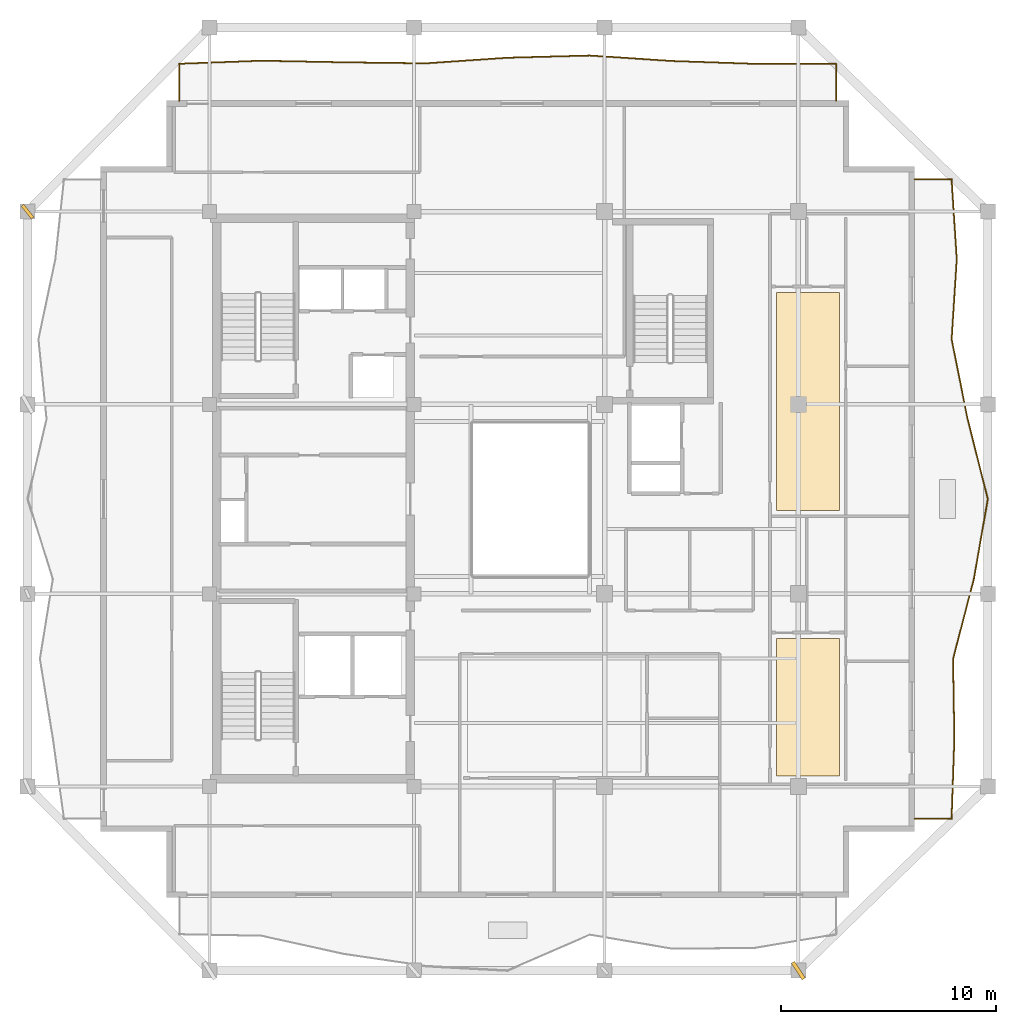
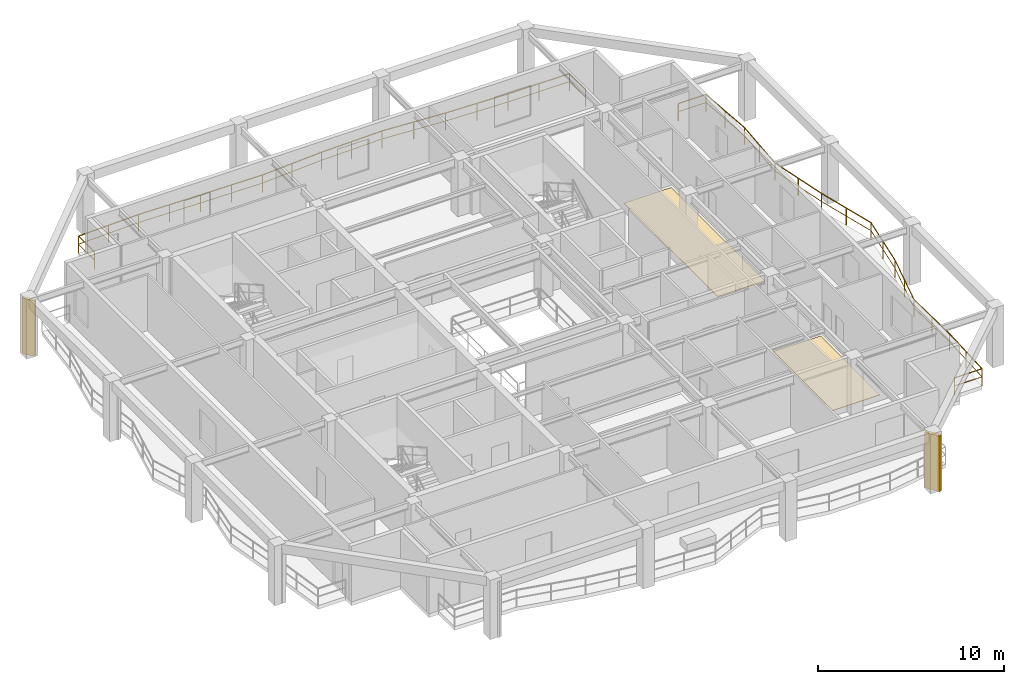
# One storey, part 9 of 10: 2 coverings, 2 railings, 2 shading devices.
"""IFC4 building model written with IfcOpenShell, lengths in metres."""

from ifc_helpers import new_model, si_unit, direction, frame, origin, origin_2d, place, context, subcontext, project, spatial, polyline, rectangle, outline, extrude, material, layer, layer_set, type_object, element, save


model = new_model("IFC4")

# Units and contexts
model_context = context("Model", 3, precision=1e-05, world=origin(), true_north=direction((0.0, 1.0)))
body_context = subcontext(model_context, "Body", "Model", "MODEL_VIEW")
ifc_project = project(units=[si_unit("LENGTHUNIT", "METRE"), si_unit("AREAUNIT", "SQUARE_METRE"), si_unit("VOLUMEUNIT", "CUBIC_METRE"), si_unit("PLANEANGLEUNIT", "RADIAN"), si_unit("MASSUNIT", "GRAM", prefix="KILO")], contexts=[model_context])

# Site, building, storey
site_placement = place(None, origin())
site = spatial("IfcSite", under=ifc_project, at=site_placement, CompositionType="ELEMENT")
building_placement = place(site_placement, origin())
building = spatial("IfcBuilding", under=site, at=building_placement, Name="Kundavana Baori Tower", CompositionType="ELEMENT")
storey_placement = place(building_placement, frame((0.0, 0.0, 280.39990234375)))
storey = spatial("IfcBuildingStorey", under=building, at=storey_placement, Name="L69", CompositionType="ELEMENT", Elevation=280.39990234375)

# Coverings
ifc_material_1 = material(Name="Honed Kota Stone and Terrazzo Flooring", Category="masonry")
ifc_layer = layer(ifc_material_1, 0.030029296875, Name="COV-INT-FLR")
ifc_layer_set = layer_set([ifc_layer], Name="Honed Kota Stone and Terrazzo Flooring")
covering_type = type_object("IfcCoveringType", Name="COV-INT-FLR", PredefinedType="FLOORING", material=ifc_layer_set)
covering_1_placement = place(storey_placement, origin())
element("IfcCovering", 1, at=covering_1_placement, inside=storey, type_object=covering_type, Name="L69 Room Finished Stone Flooring 2", PredefinedType="FLOORING", context=body_context, shape_type="SweptSolid", body=[
    extrude(outline(polyline([(41.780029296875, 15.72998046875), (44.719970703125, 15.72998046875), (44.719970703125, 22.1201171875), (41.780029296875, 22.1201171875), (41.780029296875, 15.72998046875)])), origin(), (0.0, 0.0, 1.0), 0.030029296875),
])
covering_2_placement = place(storey_placement, origin())
element("IfcCovering", 2, at=covering_2_placement, inside=storey, type_object=covering_type, Name="L69 Room Finished Stone Flooring 3", PredefinedType="FLOORING", context=body_context, shape_type="SweptSolid", body=[
    extrude(outline(polyline([(41.780029296875, 28.080078125), (44.719970703125, 28.080078125), (44.719970703125, 38.18994140625), (41.780029296875, 38.18994140625), (41.780029296875, 28.080078125)])), origin(), (0.0, 0.0, 1.0), 0.030029296875),
])

# Railings
ifc_material_2 = material(Name="Architectural Patinated Bronze Metalwork")
railing_type = type_object("IfcRailingType", Name="RL-BAL-1150", PredefinedType="BALUSTRADE", material=ifc_material_2)
railing_1_placement = place(storey_placement, frame((48.199951171875, 43.449951171875, 0.0)))
element("IfcRailing", 3, at=railing_1_placement, inside=storey, type_object=railing_type, Name="L69 Loggia Balcony Balustrade E", PredefinedType="BALUSTRADE", context=body_context, shape_type="SweptSolid", body=[
    extrude(rectangle(XDim=0.048095703125, YDim=0.048095703125, at=origin_2d()), frame((0.0, 0.0, 1.1259765625), z_axis=(1.0, 0.0, 0.0), x_axis=(0.0, 1.0, 0.0)), (0.0, 0.0, 1.0), 1.719970703125),
    extrude(rectangle(XDim=0.03125, YDim=0.03125, at=origin_2d()), frame((0.0, 0.0, 0.597900390625), z_axis=(1.0, 0.0, 0.0), x_axis=(0.0, 1.0, 0.0)), (0.0, 0.0, 1.0), 1.719970703125),
    extrude(rectangle(XDim=0.048095703125, YDim=0.048095703125, at=origin_2d()), frame((1.719970703125, 0.0, 1.1259765625), z_axis=(0.064780769939, -0.997899519915, 0.0), x_axis=(0.997899519915, 0.064780769939, 0.0)), (0.0, 0.0, 1.0), 3.7197265625),
    extrude(rectangle(XDim=0.03125, YDim=0.03125, at=origin_2d()), frame((1.719970703125, 0.0, 0.597900390625), z_axis=(0.064780769939, -0.997899519915, 0.0), x_axis=(0.997899519915, 0.064780769939, 0.0)), (0.0, 0.0, 1.0), 3.7197265625),
    extrude(rectangle(XDim=0.048095703125, YDim=0.048095703125, at=origin_2d()), frame((1.9609375, -3.7119140625, 1.1259765625), z_axis=(-0.063910106669, -0.997955659469, 0.0), x_axis=(0.997955659469, -0.063910106669, 0.0)), (0.0, 0.0, 1.0), 3.720703125),
    extrude(rectangle(XDim=0.03125, YDim=0.03125, at=origin_2d()), frame((1.9609375, -3.7119140625, 0.597900390625), z_axis=(-0.063910106669, -0.997955659469, 0.0), x_axis=(0.997955659469, -0.063910106669, 0.0)), (0.0, 0.0, 1.0), 3.720703125),
    extrude(rectangle(XDim=0.048095703125, YDim=0.048095703125, at=origin_2d()), frame((1.72314453125, -7.425048828125, 1.1259765625), z_axis=(0.195458824017, -0.980711908826, 0.0), x_axis=(0.980711908826, 0.195458824017, 0.0)), (0.0, 0.0, 1.0), 3.785888671875),
    extrude(rectangle(XDim=0.03125, YDim=0.03125, at=origin_2d()), frame((1.72314453125, -7.425048828125, 0.597900390625), z_axis=(0.195458824017, -0.980711908826, 0.0), x_axis=(0.980711908826, 0.195458824017, 0.0)), (0.0, 0.0, 1.0), 3.785888671875),
    extrude(rectangle(XDim=0.048095703125, YDim=0.048095703125, at=origin_2d()), frame((2.463134765625, -11.137939453125, 1.1259765625), z_axis=(0.244755744904, -0.969584769546, 0.0), x_axis=(0.969584769546, 0.244755744904, 0.0)), (0.0, 0.0, 1.0), 3.828369140625),
    extrude(rectangle(XDim=0.03125, YDim=0.03125, at=origin_2d()), frame((2.463134765625, -11.137939453125, 0.597900390625), z_axis=(0.244755744904, -0.969584769546, 0.0), x_axis=(0.969584769546, 0.244755744904, 0.0)), (0.0, 0.0, 1.0), 3.828369140625),
    extrude(rectangle(XDim=0.048095703125, YDim=0.048095703125, at=origin_2d()), frame((3.400146484375, -14.849853515625, 1.1259765625), z_axis=(-0.171193507147, -0.985237424741, 0.0), x_axis=(0.985237424741, -0.171193507147, 0.0)), (0.0, 0.0, 1.0), 3.767822265625),
    extrude(rectangle(XDim=0.03125, YDim=0.03125, at=origin_2d()), frame((3.400146484375, -14.849853515625, 0.597900390625), z_axis=(-0.171193507147, -0.985237424741, 0.0), x_axis=(0.985237424741, -0.171193507147, 0.0)), (0.0, 0.0, 1.0), 3.767822265625),
    extrude(rectangle(XDim=0.048095703125, YDim=0.048095703125, at=origin_2d()), frame((2.755126953125, -18.56201171875, 1.1259765625), z_axis=(-0.251807899122, -0.967777237767, 0.0), x_axis=(0.967777237767, -0.251807899122, 0.0)), (0.0, 0.0, 1.0), 3.83642578125),
    extrude(rectangle(XDim=0.03125, YDim=0.03125, at=origin_2d()), frame((2.755126953125, -18.56201171875, 0.597900390625), z_axis=(-0.251807899122, -0.967777237767, 0.0), x_axis=(0.967777237767, -0.251807899122, 0.0)), (0.0, 0.0, 1.0), 3.83642578125),
    extrude(rectangle(XDim=0.048095703125, YDim=0.048095703125, at=origin_2d()), frame((1.7890625, -22.27490234375, 1.1259765625), z_axis=(0.01643541537, -0.999864929439, 0.0), x_axis=(0.999864929439, 0.01643541537, 0.0)), (0.0, 0.0, 1.0), 3.713623046875),
    extrude(rectangle(XDim=0.03125, YDim=0.03125, at=origin_2d()), frame((1.7890625, -22.27490234375, 0.597900390625), z_axis=(0.01643541537, -0.999864929439, 0.0), x_axis=(0.999864929439, 0.01643541537, 0.0)), (0.0, 0.0, 1.0), 3.713623046875),
    extrude(rectangle(XDim=0.048095703125, YDim=0.048095703125, at=origin_2d()), frame((1.85009765625, -25.988037109375, 1.1259765625), z_axis=(-0.035035042293, -0.99938608446, 0.0), x_axis=(0.99938608446, -0.035035042293, 0.0)), (0.0, 0.0, 1.0), 3.714111328125),
    extrude(rectangle(XDim=0.03125, YDim=0.03125, at=origin_2d()), frame((1.85009765625, -25.988037109375, 0.597900390625), z_axis=(-0.035035042293, -0.99938608446, 0.0), x_axis=(0.99938608446, -0.035035042293, 0.0)), (0.0, 0.0, 1.0), 3.714111328125),
    extrude(rectangle(XDim=0.048095703125, YDim=0.048095703125, at=origin_2d()), frame((1.719970703125, -29.699951171875, 1.1259765625), z_axis=(-1.0, 0.0, 0.0), x_axis=(0.0, -1.0, 0.0)), (0.0, 0.0, 1.0), 1.719970703125),
    extrude(rectangle(XDim=0.03125, YDim=0.03125, at=origin_2d()), frame((1.719970703125, -29.699951171875, 0.597900390625), z_axis=(-1.0, 0.0, 0.0), x_axis=(0.0, -1.0, 0.0)), (0.0, 0.0, 1.0), 1.719970703125),
    extrude(rectangle(XDim=0.0419921875, YDim=0.0419921875, at=origin_2d()), origin(), (0.0, 0.0, 1.0), 1.101806640625),
    extrude(rectangle(XDim=0.0419921875, YDim=0.0419921875, at=origin_2d()), frame((1.719970703125, 0.0, 0.0)), (0.0, 0.0, 1.0), 1.101806640625),
    extrude(rectangle(XDim=0.0419921875, YDim=0.0419921875, at=origin_2d()), frame((1.84033203125, -1.85595703125, 0.0)), (0.0, 0.0, 1.0), 1.101806640625),
    extrude(rectangle(XDim=0.0419921875, YDim=0.0419921875, at=origin_2d()), frame((1.9609375, -3.7119140625, 0.0)), (0.0, 0.0, 1.0), 1.101806640625),
    extrude(rectangle(XDim=0.0419921875, YDim=0.0419921875, at=origin_2d()), frame((1.842041015625, -5.568359375, 0.0)), (0.0, 0.0, 1.0), 1.101806640625),
    extrude(rectangle(XDim=0.0419921875, YDim=0.0419921875, at=origin_2d()), frame((1.72314453125, -7.425048828125, 0.0)), (0.0, 0.0, 1.0), 1.101806640625),
    extrude(rectangle(XDim=0.0419921875, YDim=0.0419921875, at=origin_2d()), frame((2.09326171875, -9.281494140625, 0.0)), (0.0, 0.0, 1.0), 1.101806640625),
    extrude(rectangle(XDim=0.0419921875, YDim=0.0419921875, at=origin_2d()), frame((2.463134765625, -11.137939453125, 0.0)), (0.0, 0.0, 1.0), 1.101806640625),
    extrude(rectangle(XDim=0.0419921875, YDim=0.0419921875, at=origin_2d()), frame((2.931640625, -12.993896484375, 0.0)), (0.0, 0.0, 1.0), 1.101806640625),
    extrude(rectangle(XDim=0.0419921875, YDim=0.0419921875, at=origin_2d()), frame((3.400146484375, -14.849853515625, 0.0)), (0.0, 0.0, 1.0), 1.101806640625),
    extrude(rectangle(XDim=0.0419921875, YDim=0.0419921875, at=origin_2d()), frame((3.07763671875, -16.7060546875, 0.0)), (0.0, 0.0, 1.0), 1.101806640625),
    extrude(rectangle(XDim=0.0419921875, YDim=0.0419921875, at=origin_2d()), frame((2.755126953125, -18.56201171875, 0.0)), (0.0, 0.0, 1.0), 1.101806640625),
    extrude(rectangle(XDim=0.0419921875, YDim=0.0419921875, at=origin_2d()), frame((2.27197265625, -20.41845703125, 0.0)), (0.0, 0.0, 1.0), 1.101806640625),
    extrude(rectangle(XDim=0.0419921875, YDim=0.0419921875, at=origin_2d()), frame((1.7890625, -22.27490234375, 0.0)), (0.0, 0.0, 1.0), 1.101806640625),
    extrude(rectangle(XDim=0.0419921875, YDim=0.0419921875, at=origin_2d()), frame((1.819580078125, -24.13134765625, 0.0)), (0.0, 0.0, 1.0), 1.101806640625),
    extrude(rectangle(XDim=0.0419921875, YDim=0.0419921875, at=origin_2d()), frame((1.85009765625, -25.988037109375, 0.0)), (0.0, 0.0, 1.0), 1.101806640625),
    extrude(rectangle(XDim=0.0419921875, YDim=0.0419921875, at=origin_2d()), frame((1.78515625, -27.843994140625, 0.0)), (0.0, 0.0, 1.0), 1.101806640625),
    extrude(rectangle(XDim=0.0419921875, YDim=0.0419921875, at=origin_2d()), frame((1.719970703125, -29.699951171875, 0.0)), (0.0, 0.0, 1.0), 1.101806640625),
    extrude(rectangle(XDim=0.0419921875, YDim=0.0419921875, at=origin_2d()), frame((0.0, -29.699951171875, 0.0)), (0.0, 0.0, 1.0), 1.101806640625),
])
railing_2_placement = place(storey_placement, frame((14.050048828125, 47.10009765625, 0.0)))
element("IfcRailing", 4, at=railing_2_placement, inside=storey, type_object=railing_type, Name="L69 Loggia Balcony Balustrade N", PredefinedType="BALUSTRADE", context=body_context, shape_type="SweptSolid", body=[
    extrude(rectangle(XDim=0.048095703125, YDim=0.048095703125, at=origin_2d()), frame((0.0, 0.0, 1.1259765625), z_axis=(0.0, 1.0, 0.0), x_axis=(-1.0, 0.0, 0.0)), (0.0, 0.0, 1.0), 1.719970703125),
    extrude(rectangle(XDim=0.03125, YDim=0.03125, at=origin_2d()), frame((0.0, 0.0, 0.597900390625), z_axis=(0.0, 1.0, 0.0), x_axis=(-1.0, 0.0, 0.0)), (0.0, 0.0, 1.0), 1.719970703125),
    extrude(rectangle(XDim=0.048095703125, YDim=0.048095703125, at=origin_2d()), frame((0.0, 1.719970703125, 1.1259765625), z_axis=(0.999299232094, 0.037430532128, 0.0), x_axis=(-0.037430532128, 0.999299232094, 0.0)), (0.0, 0.0, 1.0), 3.815673828125),
    extrude(rectangle(XDim=0.03125, YDim=0.03125, at=origin_2d()), frame((0.0, 1.719970703125, 0.597900390625), z_axis=(0.999299232094, 0.037430532128, 0.0), x_axis=(-0.037430532128, 0.999299232094, 0.0)), (0.0, 0.0, 1.0), 3.815673828125),
    extrude(rectangle(XDim=0.048095703125, YDim=0.048095703125, at=origin_2d()), frame((3.81298828125, 1.86279296875, 1.1259765625), z_axis=(0.999811763312, -0.019402008728, 0.0), x_axis=(0.019402008728, 0.999811763312, 0.0)), (0.0, 0.0, 1.0), 3.812744140625),
    extrude(rectangle(XDim=0.03125, YDim=0.03125, at=origin_2d()), frame((3.81298828125, 1.86279296875, 0.597900390625), z_axis=(0.999811763312, -0.019402008728, 0.0), x_axis=(0.019402008728, 0.999811763312, 0.0)), (0.0, 0.0, 1.0), 3.812744140625),
    extrude(rectangle(XDim=0.048095703125, YDim=0.048095703125, at=origin_2d()), frame((7.625, 1.788818359375, 1.1259765625), z_axis=(0.999917974628, -0.012807966884, 0.0), x_axis=(0.012807966884, 0.999917974628, 0.0)), (0.0, 0.0, 1.0), 3.812255859375),
    extrude(rectangle(XDim=0.03125, YDim=0.03125, at=origin_2d()), frame((7.625, 1.788818359375, 0.597900390625), z_axis=(0.999917974628, -0.012807966884, 0.0), x_axis=(0.012807966884, 0.999917974628, 0.0)), (0.0, 0.0, 1.0), 3.812255859375),
    extrude(rectangle(XDim=0.048095703125, YDim=0.048095703125, at=origin_2d()), frame((11.43701171875, 1.739990234375, 1.1259765625), z_axis=(0.997665725853, 0.068286890827, 0.0), x_axis=(-0.068286890827, 0.997665725853, 0.0)), (0.0, 0.0, 1.0), 3.822021484375),
    extrude(rectangle(XDim=0.03125, YDim=0.03125, at=origin_2d()), frame((11.43701171875, 1.739990234375, 0.597900390625), z_axis=(0.997665725853, 0.068286890827, 0.0), x_axis=(-0.068286890827, 0.997665725853, 0.0)), (0.0, 0.0, 1.0), 3.822021484375),
    extrude(rectangle(XDim=0.048095703125, YDim=0.048095703125, at=origin_2d()), frame((15.25, 2.0009765625, 1.1259765625), z_axis=(0.999643564035, 0.026697282324, 0.0), x_axis=(-0.026697282324, 0.999643564035, 0.0)), (0.0, 0.0, 1.0), 3.8134765625),
    extrude(rectangle(XDim=0.03125, YDim=0.03125, at=origin_2d()), frame((15.25, 2.0009765625, 0.597900390625), z_axis=(0.999643564035, 0.026697282324, 0.0), x_axis=(-0.026697282324, 0.999643564035, 0.0)), (0.0, 0.0, 1.0), 3.8134765625),
    extrude(rectangle(XDim=0.048095703125, YDim=0.048095703125, at=origin_2d()), frame((19.06201171875, 2.102783203125, 1.1259765625), z_axis=(0.997807152975, -0.06618825781, 0.0), x_axis=(0.06618825781, 0.997807152975, 0.0)), (0.0, 0.0, 1.0), 3.8212890625),
    extrude(rectangle(XDim=0.03125, YDim=0.03125, at=origin_2d()), frame((19.06201171875, 2.102783203125, 0.597900390625), z_axis=(0.997807152975, -0.06618825781, 0.0), x_axis=(0.06618825781, 0.997807152975, 0.0)), (0.0, 0.0, 1.0), 3.8212890625),
    extrude(rectangle(XDim=0.048095703125, YDim=0.048095703125, at=origin_2d()), frame((22.875, 1.849853515625, 1.1259765625), z_axis=(0.999420054757, -0.034052226792, 0.0), x_axis=(0.034052226792, 0.999420054757, 0.0)), (0.0, 0.0, 1.0), 3.814208984375),
    extrude(rectangle(XDim=0.03125, YDim=0.03125, at=origin_2d()), frame((22.875, 1.849853515625, 0.597900390625), z_axis=(0.999420054757, -0.034052226792, 0.0), x_axis=(0.034052226792, 0.999420054757, 0.0)), (0.0, 0.0, 1.0), 3.814208984375),
    extrude(rectangle(XDim=0.048095703125, YDim=0.048095703125, at=origin_2d()), frame((26.68701171875, 1.719970703125, 1.1259765625), z_axis=(1.0, 0.0, 0.0), x_axis=(0.0, 1.0, 0.0)), (0.0, 0.0, 1.0), 3.81298828125),
    extrude(rectangle(XDim=0.03125, YDim=0.03125, at=origin_2d()), frame((26.68701171875, 1.719970703125, 0.597900390625), z_axis=(1.0, 0.0, 0.0), x_axis=(0.0, 1.0, 0.0)), (0.0, 0.0, 1.0), 3.81298828125),
    extrude(rectangle(XDim=0.048095703125, YDim=0.048095703125, at=origin_2d()), frame((30.5, 1.719970703125, 1.1259765625), z_axis=(0.0, -1.0, 0.0), x_axis=(1.0, 0.0, 0.0)), (0.0, 0.0, 1.0), 1.719970703125),
    extrude(rectangle(XDim=0.03125, YDim=0.03125, at=origin_2d()), frame((30.5, 1.719970703125, 0.597900390625), z_axis=(0.0, -1.0, 0.0), x_axis=(1.0, 0.0, 0.0)), (0.0, 0.0, 1.0), 1.719970703125),
    extrude(rectangle(XDim=0.0419921875, YDim=0.0419921875, at=origin_2d()), origin(), (0.0, 0.0, 1.0), 1.101806640625),
    extrude(rectangle(XDim=0.0419921875, YDim=0.0419921875, at=origin_2d()), frame((0.0, 1.719970703125, 0.0)), (0.0, 0.0, 1.0), 1.101806640625),
    extrude(rectangle(XDim=0.0419921875, YDim=0.0419921875, at=origin_2d()), frame((1.906494140625, 1.79150390625, 0.0)), (0.0, 0.0, 1.0), 1.101806640625),
    extrude(rectangle(XDim=0.0419921875, YDim=0.0419921875, at=origin_2d()), frame((3.81298828125, 1.86279296875, 0.0)), (0.0, 0.0, 1.0), 1.101806640625),
    extrude(rectangle(XDim=0.0419921875, YDim=0.0419921875, at=origin_2d()), frame((5.718994140625, 1.82568359375, 0.0)), (0.0, 0.0, 1.0), 1.101806640625),
    extrude(rectangle(XDim=0.0419921875, YDim=0.0419921875, at=origin_2d()), frame((7.625, 1.788818359375, 0.0)), (0.0, 0.0, 1.0), 1.101806640625),
    extrude(rectangle(XDim=0.0419921875, YDim=0.0419921875, at=origin_2d()), frame((9.531005859375, 1.764404296875, 0.0)), (0.0, 0.0, 1.0), 1.101806640625),
    extrude(rectangle(XDim=0.0419921875, YDim=0.0419921875, at=origin_2d()), frame((11.43701171875, 1.739990234375, 0.0)), (0.0, 0.0, 1.0), 1.101806640625),
    extrude(rectangle(XDim=0.0419921875, YDim=0.0419921875, at=origin_2d()), frame((13.343505859375, 1.87060546875, 0.0)), (0.0, 0.0, 1.0), 1.101806640625),
    extrude(rectangle(XDim=0.0419921875, YDim=0.0419921875, at=origin_2d()), frame((15.25, 2.0009765625, 0.0)), (0.0, 0.0, 1.0), 1.101806640625),
    extrude(rectangle(XDim=0.0419921875, YDim=0.0419921875, at=origin_2d()), frame((17.156005859375, 2.0517578125, 0.0)), (0.0, 0.0, 1.0), 1.101806640625),
    extrude(rectangle(XDim=0.0419921875, YDim=0.0419921875, at=origin_2d()), frame((19.06201171875, 2.102783203125, 0.0)), (0.0, 0.0, 1.0), 1.101806640625),
    extrude(rectangle(XDim=0.0419921875, YDim=0.0419921875, at=origin_2d()), frame((20.968505859375, 1.976318359375, 0.0)), (0.0, 0.0, 1.0), 1.101806640625),
    extrude(rectangle(XDim=0.0419921875, YDim=0.0419921875, at=origin_2d()), frame((22.875, 1.849853515625, 0.0)), (0.0, 0.0, 1.0), 1.101806640625),
    extrude(rectangle(XDim=0.0419921875, YDim=0.0419921875, at=origin_2d()), frame((24.781005859375, 1.784912109375, 0.0)), (0.0, 0.0, 1.0), 1.101806640625),
    extrude(rectangle(XDim=0.0419921875, YDim=0.0419921875, at=origin_2d()), frame((26.68701171875, 1.719970703125, 0.0)), (0.0, 0.0, 1.0), 1.101806640625),
    extrude(rectangle(XDim=0.0419921875, YDim=0.0419921875, at=origin_2d()), frame((28.593505859375, 1.719970703125, 0.0)), (0.0, 0.0, 1.0), 1.101806640625),
    extrude(rectangle(XDim=0.0419921875, YDim=0.0419921875, at=origin_2d()), frame((30.5, 1.719970703125, 0.0)), (0.0, 0.0, 1.0), 1.101806640625),
    extrude(rectangle(XDim=0.0419921875, YDim=0.0419921875, at=origin_2d()), frame((30.5, 0.0, 0.0)), (0.0, 0.0, 1.0), 1.101806640625),
])

# Shading devices
ifc_material_3 = material(Name="Red-Buff Dholpur Sandstone Cladding on Concrete C40/50", Category="masonry")
shading_device_type_1 = type_object("IfcShadingDeviceType", Name="SHD-FIN-750", PredefinedType="JALOUSIE", material=ifc_material_3)
shading_device_1_placement = place(storey_placement, frame((7.0, 41.949951171875, 0.0), z_axis=(0.0, 0.0, 1.0), x_axis=(0.780430407338, 0.625242656336, 0.0)))
element("IfcShadingDevice", 5, at=shading_device_1_placement, inside=storey, type_object=shading_device_type_1, Name="L69 Sweeping Dholpur Sandstone Facade Fin 8", PredefinedType="JALOUSIE", context=body_context, shape_type="SweptSolid", body=[
    extrude(rectangle(XDim=0.159912109375, YDim=0.75, at=origin_2d()), origin(), (0.0, 0.0, 1.0), 3.659912109375),
])
ifc_material_4 = material(Name="Red-Buff Dholpur Sandstone Cladding on Concrete C40/50", Category="masonry")
shading_device_type_2 = type_object("IfcShadingDeviceType", Name="SHD-FIN-920", PredefinedType="JALOUSIE", material=ifc_material_4)
shading_device_2_placement = place(storey_placement, frame((42.800048828125, 6.699951171875, 0.0), z_axis=(0.0, 0.0, 1.0), x_axis=(0.836381838331, 0.548147261701, 0.0)))
element("IfcShadingDevice", 6, at=shading_device_2_placement, inside=storey, type_object=shading_device_type_2, Name="L69 Sweeping Dholpur Sandstone Facade Fin 4", PredefinedType="JALOUSIE", context=body_context, shape_type="SweptSolid", body=[
    extrude(rectangle(XDim=0.179931640625, YDim=0.919921875, at=origin_2d()), origin(), (0.0, 0.0, 1.0), 3.659912109375),
])

save(model, "model.ifc")
